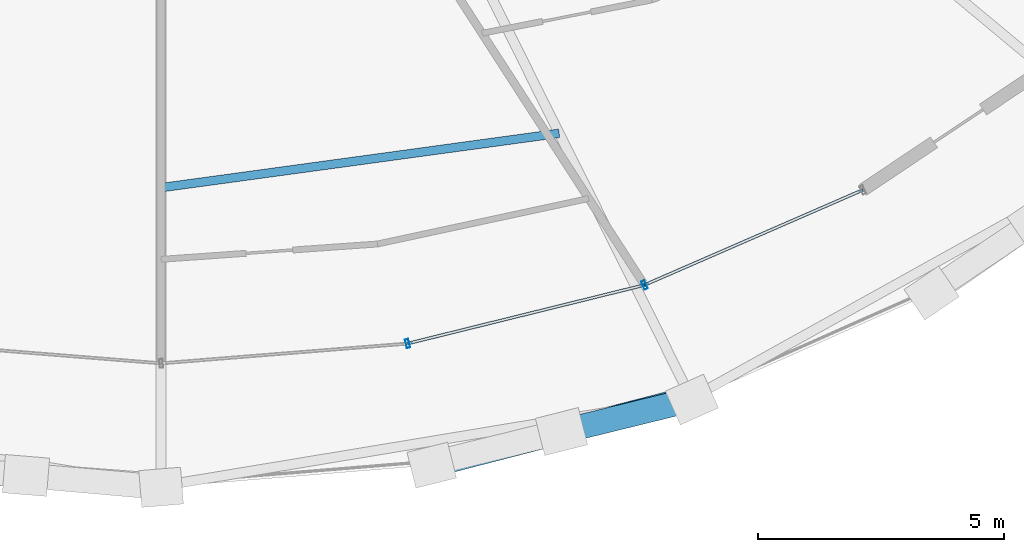
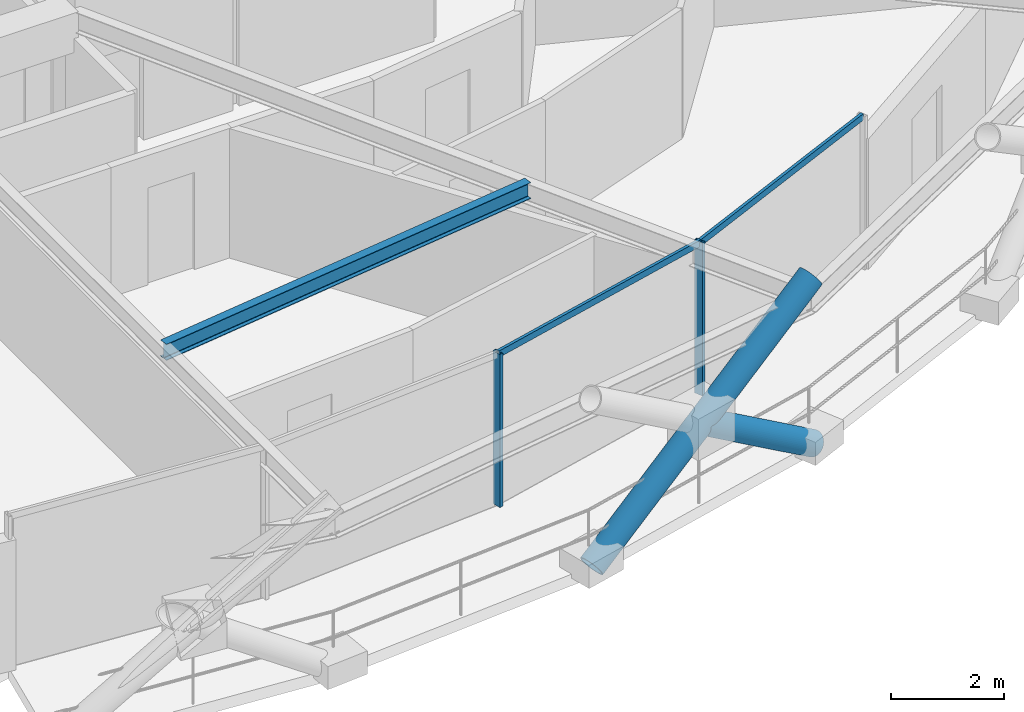
# One storey, part 4 of 19: 6 members, 1 beam, 1 element without a shape of its own.
"""IFC4 building model written with IfcOpenShell, lengths in metres."""

from ifc_helpers import new_model, si_unit, direction, frame, origin, origin_2d, place, context, subcontext, project, spatial, hollow_rectangle, hollow_circle, i_section, extrude, material, layer, layer_set, material_profile, profile_set, type_object, element, aggregate, save


model = new_model("IFC4")

# Units and contexts
model_context = context("Model", 3, precision=1e-05, world=origin(), true_north=direction((0.0, 1.0)))
body_context = subcontext(model_context, "Body", "Model", "MODEL_VIEW")
ifc_project = project(units=[si_unit("LENGTHUNIT", "METRE"), si_unit("AREAUNIT", "SQUARE_METRE"), si_unit("VOLUMEUNIT", "CUBIC_METRE"), si_unit("PLANEANGLEUNIT", "RADIAN"), si_unit("MASSUNIT", "GRAM", prefix="KILO")], contexts=[model_context])

# Site, building, storey
site_placement = place(None, origin())
site = spatial("IfcSite", under=ifc_project, at=site_placement, CompositionType="ELEMENT")
building_placement = place(site_placement, origin())
building = spatial("IfcBuilding", under=site, at=building_placement, Name="Veldorina Hangang Commons", CompositionType="ELEMENT")
storey_placement = place(building_placement, frame((0.0, 0.0, 160.39990234375)))
storey = spatial("IfcBuildingStorey", under=building, at=storey_placement, Name="L41", CompositionType="ELEMENT", Elevation=160.39990234375)

# Beam
ifc_material_1 = material(Name="Steel SM355-TMC", Category="steel")
ifc_material_profile_1 = material_profile(ifc_material_1, i_section(OverallWidth=0.175048828125, OverallDepth=0.35009765625, WebThickness=0.007080078125, FlangeThickness=0.010986328125, FilletRadius=0.012939453125, at=origin_2d()), Name="H-350x175x7x11")
ifc_profile_set_1 = profile_set([ifc_material_profile_1], Name="Steel SM355-TMC")
beam_type = type_object("IfcBeamType", Name="BM-JST350", PredefinedType="JOIST", material=ifc_profile_set_1)
beam_placement = place(storey_placement, frame((32.0, 6.658447265625, 3.175048828125), z_axis=(0.990806678814, 0.135285347386, 0.0), x_axis=(-0.135285347386, 0.990806678814, 0.0)))
element("IfcBeam", 1, at=beam_placement, inside=storey, type_object=beam_type, Name="L41 secondary floor joist 13", PredefinedType="JOIST", context=body_context, shape_type="SweptSolid", body=[
    extrude(i_section(OverallWidth=0.175048828125, OverallDepth=0.35009765625, WebThickness=0.007080078125, FlangeThickness=0.010986328125, FilletRadius=0.012939453125, at=origin_2d()), origin(), (0.0, 0.0, 1.0), 8.1640625),
])

# Curtain wall, members
ifc_material_2 = material(Name="Glass Low-E Triple IGU", Category="glass")
ifc_layer = layer(ifc_material_2, 0.179931640625)
ifc_layer_set = layer_set([ifc_layer], Name="Glass Low-E Triple IGU")
curtain_wall_type = type_object("IfcCurtainWallType", Name="CW-SYS-Z2", PredefinedType="NOTDEFINED", material=ifc_layer_set)
curtain_wall_placement = place(storey_placement, origin())
curtain_wall = element("IfcCurtainWall", 2, at=curtain_wall_placement, inside=storey, type_object=curtain_wall_type, Name="L41 unitised curtain wall CW-L41-R1", PredefinedType="NOTDEFINED")
ifc_material_3 = material(Name="Aluminium Anodized AA6063-T6", Category="aluminium")
ifc_material_profile_2 = material_profile(ifc_material_3, hollow_rectangle(XDim=0.070068359375, YDim=0.179931640625, WallThickness=0.00390625, at=origin_2d()), Name="ALU-RHS-180x70x4")
ifc_profile_set_2 = profile_set([ifc_material_profile_2], Name="Aluminium Anodized AA6063-T6")
member_type_1 = type_object("IfcMemberType", Name="CW-MUL-180", PredefinedType="MULLION", material=ifc_profile_set_2)
member_1_placement = place(storey_placement, frame((37.0078125, 3.489501953125, 0.0), z_axis=(0.0, 0.0, 1.0), x_axis=(0.970796090839, 0.239906127499, 0.0)))
member_1 = element("IfcMember", 3, at=member_1_placement, type_object=member_type_1, Name="CW-L41-R1 vertical mullion 3", PredefinedType="MULLION", context=body_context, shape_type="SweptSolid", body=[
    extrude(hollow_rectangle(XDim=0.070068359375, YDim=0.179931640625, WallThickness=0.00390625, at=origin_2d()), origin(), (0.0, 0.0, 1.0), 3.31005859375),
])
member_2_placement = place(storey_placement, frame((41.822998046875, 4.6796875, 0.0), z_axis=(0.0, 0.0, 1.0), x_axis=(0.916844196158, 0.399245187787, 0.0)))
member_2 = element("IfcMember", 4, at=member_2_placement, type_object=member_type_1, Name="CW-L41-R1 vertical mullion 4", PredefinedType="MULLION", context=body_context, shape_type="SweptSolid", body=[
    extrude(hollow_rectangle(XDim=0.070068359375, YDim=0.179931640625, WallThickness=0.00390625, at=origin_2d()), origin(), (0.0, 0.0, 1.0), 3.31005859375),
])
ifc_material_profile_3 = material_profile(ifc_material_3, hollow_rectangle(XDim=0.06005859375, YDim=0.139892578125, WallThickness=0.00341796875, at=origin_2d()), Name="ALU-RHS-140x60x3.5")
ifc_profile_set_3 = profile_set([ifc_material_profile_3], Name="Aluminium Anodized AA6063-T6")
member_type_2 = type_object("IfcMemberType", Name="CW-TRN-140", PredefinedType="USERDEFINED", material=ifc_profile_set_3)
member_3_placement = place(storey_placement, frame((37.0078125, 3.489501953125, 3.27001953125), z_axis=(0.970784725455, 0.239952113603, 0.0), x_axis=(-0.239952113603, 0.970784725455, 0.0)))
member_3 = element("IfcMember", 5, at=member_3_placement, type_object=member_type_2, Name="CW-L41-R1 facet 3 transom 1", ObjectType="TRANSOM", PredefinedType="USERDEFINED", context=body_context, shape_type="SweptSolid", body=[
    extrude(hollow_rectangle(XDim=0.06005859375, YDim=0.139892578125, WallThickness=0.00341796875, at=origin_2d()), origin(), (0.0, 0.0, 1.0), 4.960205078125),
])
member_4_placement = place(storey_placement, frame((41.822998046875, 4.6796875, 3.27001953125), z_axis=(0.916849390986, 0.399233257944, 0.0), x_axis=(-0.399233257944, 0.916849390986, 0.0)))
member_4 = element("IfcMember", 6, at=member_4_placement, type_object=member_type_2, Name="CW-L41-R1 facet 4 transom 1", ObjectType="TRANSOM", PredefinedType="USERDEFINED", context=body_context, shape_type="SweptSolid", body=[
    extrude(hollow_rectangle(XDim=0.06005859375, YDim=0.139892578125, WallThickness=0.00341796875, at=origin_2d()), origin(), (0.0, 0.0, 1.0), 4.84033203125),
])
aggregate(curtain_wall, [member_1, member_2, member_3, member_4])

# Members
ifc_material_4 = material(Name="Steel SM420-TMC", Category="steel")
ifc_material_profile_4 = material_profile(ifc_material_4, hollow_circle(Radius=0.25, WallThickness=0.02490234375, at=origin_2d()), Name="CHS-500x25")
ifc_profile_set_4 = profile_set([ifc_material_profile_4], Name="Steel SM420-TMC")
member_type_3 = type_object("IfcMemberType", Name="DG-CHS500", PredefinedType="BRACE", material=ifc_profile_set_4)
member_5_placement = place(storey_placement, frame((37.49951171875, 1.01806640625, 0.0), z_axis=(0.807500976432, 0.208926755924, 0.55162648932), x_axis=(-0.250484291114, 0.968120663918, 0.0)))
element("IfcMember", 7, at=member_5_placement, inside=storey, type_object=member_type_3, Name="L41 continuous perimeter diagrid brace 25", PredefinedType="BRACE", context=body_context, shape_type="SweptSolid", body=[
    extrude(hollow_circle(Radius=0.25, WallThickness=0.02490234375, at=origin_2d()), origin(), (0.0, 0.0, 1.0), 6.5263671875),
])
member_6_placement = place(storey_placement, frame((42.787353515625, 2.3515625, 0.0), z_axis=(-0.810501575513, -0.199098065939, 0.550860378163), x_axis=(0.238555814521, -0.971128788245, 0.0)))
element("IfcMember", 8, at=member_6_placement, inside=storey, type_object=member_type_3, Name="L41 split perimeter diagrid lower brace 26", PredefinedType="BRACE", context=body_context, shape_type="SweptSolid", body=[
    extrude(hollow_circle(Radius=0.25, WallThickness=0.02490234375, at=origin_2d()), origin(), (0.0, 0.0, 1.0), 3.270263671875),
])

save(model, "model.ifc")
